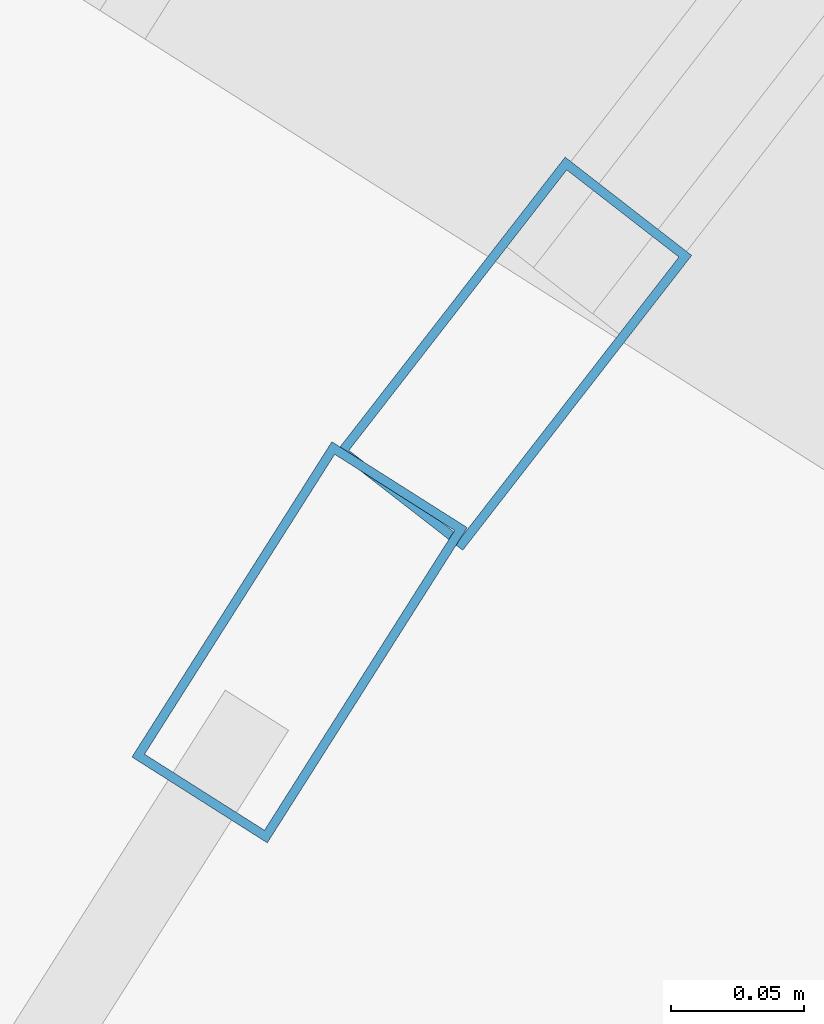
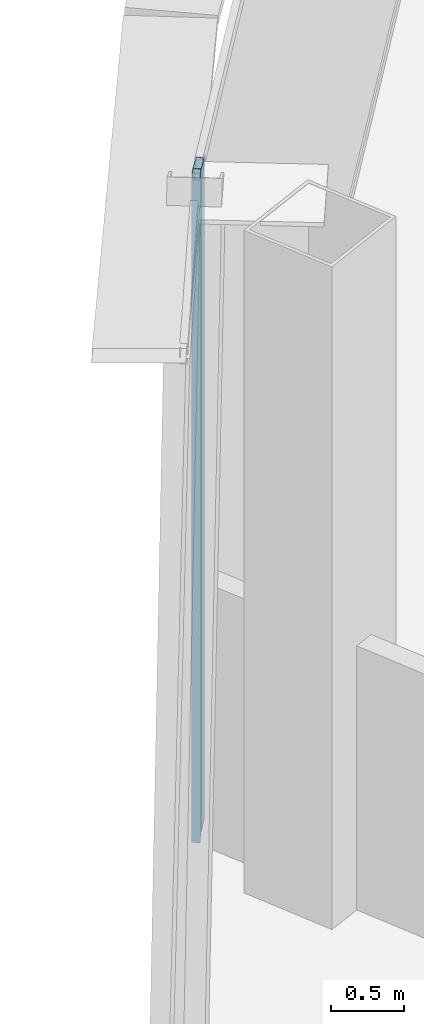
# One storey, part 20 of 33: 2 members, 2 elements without a shape of their own.
"""IFC4 building model written with IfcOpenShell, lengths in metres."""

from ifc_helpers import new_model, si_unit, direction, frame, origin, origin_2d, place, context, subcontext, project, spatial, hollow_rectangle, extrude, source, transform, mapped, material, layer, layer_set, material_profile, profile_set, type_object, element, aggregate, save


model = new_model("IFC4")

# Units and contexts
model_context = context("Model", 3, precision=1e-05, world=origin(), true_north=direction((0.0, 1.0)))
body_context = subcontext(model_context, "Body", "Model", "MODEL_VIEW")
ifc_project = project(units=[si_unit("LENGTHUNIT", "METRE"), si_unit("AREAUNIT", "SQUARE_METRE"), si_unit("VOLUMEUNIT", "CUBIC_METRE"), si_unit("PLANEANGLEUNIT", "RADIAN"), si_unit("MASSUNIT", "GRAM", prefix="KILO"), si_unit("THERMODYNAMICTEMPERATUREUNIT", "KELVIN"), si_unit("POWERUNIT", "WATT")], contexts=[model_context])

# Site, building, storey
site_placement = place(None, origin())
site = spatial("IfcSite", under=ifc_project, at=site_placement, CompositionType="ELEMENT")
building_placement = place(site_placement, origin())
building = spatial("IfcBuilding", under=site, at=building_placement, Name="Yunzhuo Pagoda Commons", CompositionType="ELEMENT")
storey_placement = place(building_placement, frame((0.0, 0.0, 314.860107421875)))
storey = spatial("IfcBuildingStorey", under=building, at=storey_placement, Name="L79", CompositionType="ELEMENT", Elevation=314.860107421875)

# Curtain wall, member
ifc_material = material(Name="Anodized aluminium 6063-T6", Category="aluminium")
ifc_layer = layer(ifc_material, 0.139892578125)
ifc_layer_set = layer_set([ifc_layer], Name="Anodized aluminium 6063-T6")
curtain_wall_type = type_object("IfcCurtainWallType", Name="CW-HI High-Zone Ribbon Curtain Wall", PredefinedType="NOTDEFINED", material=ifc_layer_set)
curtain_wall_1_placement = place(storey_placement, origin())
curtain_wall_1 = element("IfcCurtainWall", 1, at=curtain_wall_1_placement, inside=storey, type_object=curtain_wall_type, Name="L79 curtain wall CW-L79-F3B2", PredefinedType="NOTDEFINED")
ifc_material_profile = material_profile(ifc_material, hollow_rectangle(XDim=0.06005859375, YDim=0.139892578125, WallThickness=0.00341796875, at=origin_2d()), Name="Anodized aluminium 6063-T6")
ifc_profile_set = profile_set([ifc_material_profile], Name="Anodized aluminium 6063-T6")
member_type = type_object("IfcMemberType", Name="CW-HI-M Mullion RHS 140x60x3.5", PredefinedType="MULLION", material=ifc_profile_set)
shared_shape = source(origin(), body_context, "Body", "SweptSolid", [
    extrude(hollow_rectangle(XDim=0.06005859375, YDim=0.139892578125, WallThickness=0.00341796875, at=origin_2d()), origin(), (0.0, 0.0, 1.0), 5.56982421875),
])
member_1_placement = place(storey_placement, frame((35.442626953125, 61.84326171875, 0.0), z_axis=(0.0, 0.0, 1.0), x_axis=(0.844512740935, -0.535535461383, 0.0)))
member_1 = element("IfcMember", 2, at=member_1_placement, type_object=member_type, Name="CW mullion 1", PredefinedType="MULLION", context=body_context, shape_type="MappedRepresentation", body=[
    mapped(shared_shape, transform((0.0, 0.0, 0.0), scale=1.0)),
])
aggregate(curtain_wall_1, [member_1])

curtain_wall_2_placement = place(storey_placement, origin())
curtain_wall_2 = element("IfcCurtainWall", 3, at=curtain_wall_2_placement, inside=storey, type_object=curtain_wall_type, Name="L79 curtain wall CW-L79-F3B1", PredefinedType="NOTDEFINED")
member_2_placement = place(storey_placement, frame((35.52294921875, 61.951416015625, 0.0), z_axis=(0.0, 0.0, 1.0), x_axis=(0.789782734714, -0.61338669039, 0.0)))
member_2 = element("IfcMember", 4, at=member_2_placement, type_object=member_type, Name="CW mullion 2", PredefinedType="MULLION", context=body_context, shape_type="MappedRepresentation", body=[
    mapped(shared_shape, transform((0.0, 0.0, 0.0), scale=1.0)),
])
aggregate(curtain_wall_2, [member_2])

save(model, "model.ifc")
